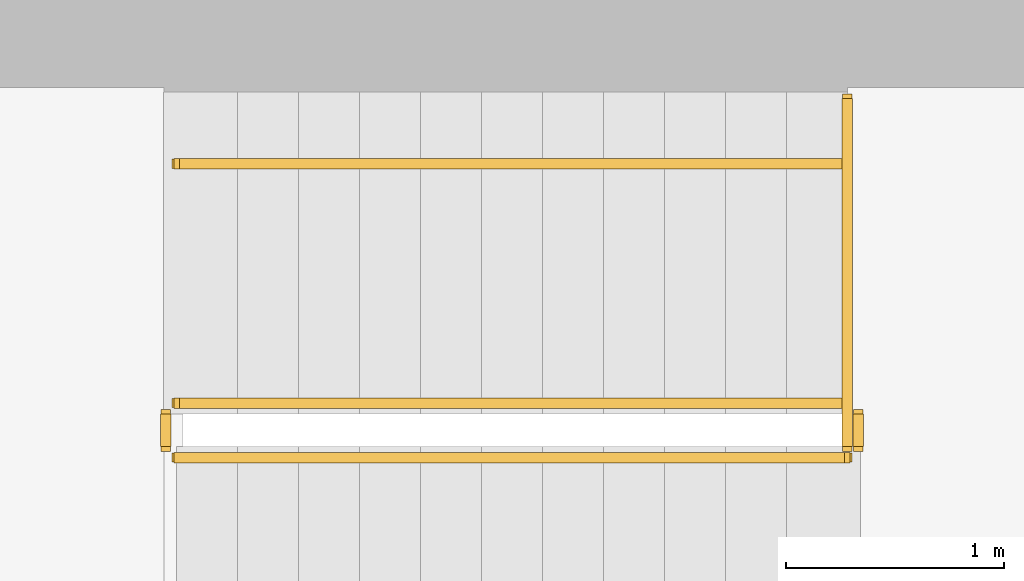
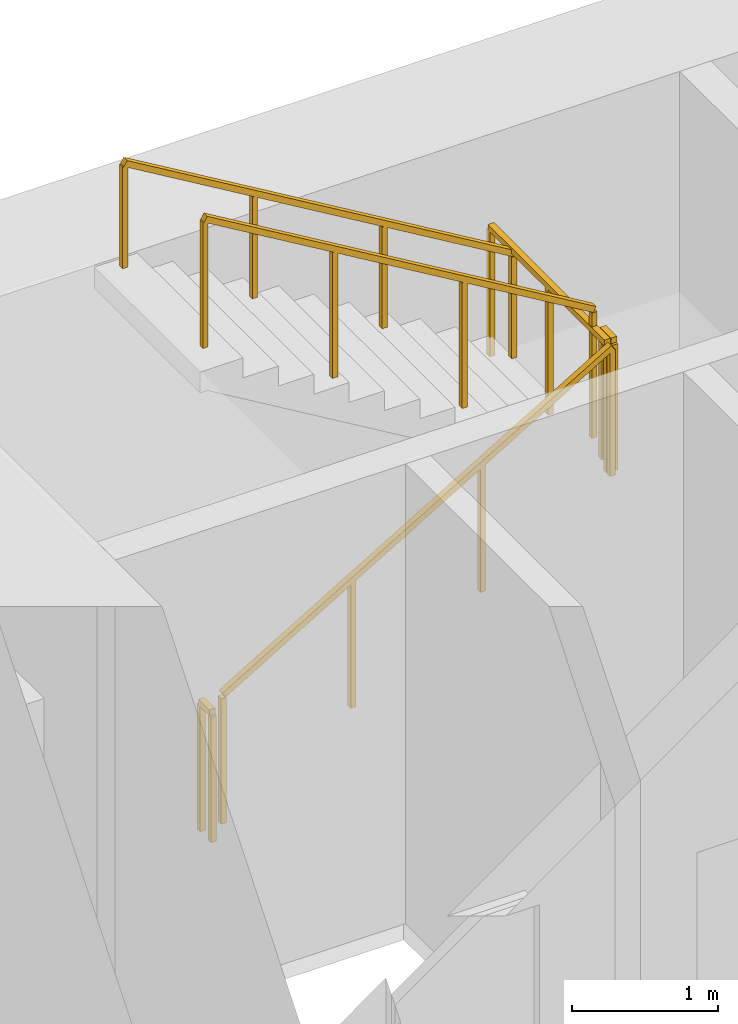
# One storey, part 15 of 16: 6 railings.
"""IFC4 building model written with IfcOpenShell, lengths in metres."""

from ifc_helpers import new_model, si_unit, direction, frame, origin, origin_2d, place, context, subcontext, project, spatial, rectangle, extrude, material, type_object, element, save


model = new_model("IFC4")

# Units and contexts
model_context = context("Model", 3, precision=1e-05, world=origin(), true_north=direction((0.0, 1.0)))
body_context = subcontext(model_context, "Body", "Model", "MODEL_VIEW")
ifc_project = project(units=[si_unit("LENGTHUNIT", "METRE"), si_unit("AREAUNIT", "SQUARE_METRE"), si_unit("VOLUMEUNIT", "CUBIC_METRE"), si_unit("PLANEANGLEUNIT", "RADIAN"), si_unit("MASSUNIT", "GRAM", prefix="KILO")], contexts=[model_context])

# Site, building, storey
site_placement = place(None, origin())
site = spatial("IfcSite", under=ifc_project, at=site_placement, CompositionType="ELEMENT")
building_placement = place(site_placement, origin())
building = spatial("IfcBuilding", under=site, at=building_placement, Name="Sennacour Bend Tower", CompositionType="ELEMENT")
storey_placement = place(building_placement, frame((0.0, 0.0, 179.0)))
storey = spatial("IfcBuildingStorey", under=building, at=storey_placement, Name="L41", CompositionType="ELEMENT", Elevation=179.0)

# Railings
ifc_material = material(Name="Stainless steel", Category="steel")
railing_type_1 = type_object("IfcRailingType", Name="RL-GUARD-1100", PredefinedType="GUARDRAIL", material=ifc_material)
railing_1_placement = place(storey_placement, frame((56.699951171875, 19.85009765625, 0.166748046875)))
element("IfcRailing", 1, at=railing_1_placement, inside=storey, type_object=railing_type_1, Name="L41 SA2 stair guard 1", PredefinedType="GUARDRAIL", context=body_context, shape_type="SweptSolid", body=[
    extrude(rectangle(XDim=0.048095703125, YDim=0.048095703125, at=origin_2d()), frame((0.0, 0.0, 1.076171875), z_axis=(0.859308565015, 0.0, 0.511457515432), x_axis=(0.0, 1.0, 0.0)), (0.0, 0.0, 1.0), 3.58447265625),
    extrude(rectangle(XDim=0.0419921875, YDim=0.0419921875, at=origin_2d()), origin(), (0.0, 0.0, 1.0), 1.052001953125),
    extrude(rectangle(XDim=0.0419921875, YDim=0.0419921875, at=origin_2d()), frame((1.026611328125, 0.0, 0.611083984375)), (0.0, 0.0, 1.0), 1.052001953125),
    extrude(rectangle(XDim=0.0419921875, YDim=0.0419921875, at=origin_2d()), frame((2.053466796875, 0.0, 1.22216796875)), (0.0, 0.0, 1.0), 1.052001953125),
    extrude(rectangle(XDim=0.0419921875, YDim=0.0419921875, at=origin_2d()), frame((3.080078125, 0.0, 1.833251953125)), (0.0, 0.0, 1.0), 1.052001953125),
])
railing_2_placement = place(storey_placement, frame((59.830078125, 19.89990234375, 2.0)))
element("IfcRailing", 2, at=railing_2_placement, inside=storey, type_object=railing_type_1, Name="L41 SA2 stair guard 2", PredefinedType="GUARDRAIL", context=body_context, shape_type="SweptSolid", body=[
    extrude(rectangle(XDim=0.048095703125, YDim=0.048095703125, at=origin_2d()), frame((0.0, 0.0, 1.076171875), z_axis=(0.0, 1.0, 0.0), x_axis=(-1.0, 0.0, 0.0)), (0.0, 0.0, 1.0), 0.150146484375),
    extrude(rectangle(XDim=0.0419921875, YDim=0.0419921875, at=origin_2d()), origin(), (0.0, 0.0, 1.0), 1.052001953125),
    extrude(rectangle(XDim=0.0419921875, YDim=0.0419921875, at=origin_2d()), frame((0.0, 0.150146484375, 0.0)), (0.0, 0.0, 1.0), 1.052001953125),
])
railing_3_placement = place(storey_placement, frame((59.780029296875, 20.10009765625, 2.166748046875)))
element("IfcRailing", 3, at=railing_3_placement, inside=storey, type_object=railing_type_1, Name="L41 SA2 stair guard 4", PredefinedType="GUARDRAIL", context=body_context, shape_type="SweptSolid", body=[
    extrude(rectangle(XDim=0.048095703125, YDim=0.048095703125, at=origin_2d()), frame((0.0, 0.0, 1.076171875), z_axis=(-0.859308565015, 0.0, 0.511457515432), x_axis=(0.0, -1.0, 0.0)), (0.0, 0.0, 1.0), 3.58447265625),
    extrude(rectangle(XDim=0.0419921875, YDim=0.0419921875, at=origin_2d()), origin(), (0.0, 0.0, 1.0), 1.052001953125),
    extrude(rectangle(XDim=0.0419921875, YDim=0.0419921875, at=origin_2d()), frame((-1.026611328125, 0.0, 0.611083984375)), (0.0, 0.0, 1.0), 1.052001953125),
    extrude(rectangle(XDim=0.0419921875, YDim=0.0419921875, at=origin_2d()), frame((-2.053466796875, 0.0, 1.22216796875)), (0.0, 0.0, 1.0), 1.052001953125),
    extrude(rectangle(XDim=0.0419921875, YDim=0.0419921875, at=origin_2d()), frame((-3.080078125, 0.0, 1.833251953125)), (0.0, 0.0, 1.0), 1.052001953125),
])
railing_4_placement = place(storey_placement, frame((56.64990234375, 19.89990234375, 0.0)))
element("IfcRailing", 4, at=railing_4_placement, inside=storey, type_object=railing_type_1, Name="L41 SA2 stair guard 5", PredefinedType="GUARDRAIL", context=body_context, shape_type="SweptSolid", body=[
    extrude(rectangle(XDim=0.048095703125, YDim=0.048095703125, at=origin_2d()), frame((0.0, 0.0, 1.076171875), z_axis=(0.0, 1.0, 0.0), x_axis=(-1.0, 0.0, 0.0)), (0.0, 0.0, 1.0), 0.150146484375),
    extrude(rectangle(XDim=0.0419921875, YDim=0.0419921875, at=origin_2d()), origin(), (0.0, 0.0, 1.0), 1.052001953125),
    extrude(rectangle(XDim=0.0419921875, YDim=0.0419921875, at=origin_2d()), frame((0.0, 0.150146484375, 0.0)), (0.0, 0.0, 1.0), 1.052001953125),
])
railing_5_placement = place(storey_placement, frame((59.780029296875, 19.89990234375, 2.0)))
element("IfcRailing", 5, at=railing_5_placement, inside=storey, type_object=railing_type_1, Name="L41 SA2 landing edge guard 56", PredefinedType="GUARDRAIL", context=body_context, shape_type="SweptSolid", body=[
    extrude(rectangle(XDim=0.048095703125, YDim=0.048095703125, at=origin_2d()), frame((0.0, 0.0, 1.076171875), z_axis=(0.0, 1.0, 0.0), x_axis=(-1.0, 0.0, 0.0)), (0.0, 0.0, 1.0), 1.60009765625),
    extrude(rectangle(XDim=0.0419921875, YDim=0.0419921875, at=origin_2d()), origin(), (0.0, 0.0, 1.0), 1.052001953125),
    extrude(rectangle(XDim=0.0419921875, YDim=0.0419921875, at=origin_2d()), frame((0.0, 0.800048828125, 0.0)), (0.0, 0.0, 1.0), 1.052001953125),
    extrude(rectangle(XDim=0.0419921875, YDim=0.0419921875, at=origin_2d()), frame((0.0, 1.60009765625, 0.0)), (0.0, 0.0, 1.0), 1.052001953125),
])
railing_type_2 = type_object("IfcRailingType", Name="RL-HANDRAIL-900", PredefinedType="HANDRAIL", material=ifc_material)
railing_6_placement = place(storey_placement, frame((59.780029296875, 21.199951171875, 2.166748046875)))
element("IfcRailing", 6, at=railing_6_placement, inside=storey, type_object=railing_type_2, Name="L41 SA2 stair handrail 2", PredefinedType="HANDRAIL", context=body_context, shape_type="SweptSolid", body=[
    extrude(rectangle(XDim=0.048095703125, YDim=0.048095703125, at=origin_2d()), frame((0.0, 0.0, 0.8759765625), z_axis=(-0.859308565015, 0.0, 0.511457515432), x_axis=(0.0, -1.0, 0.0)), (0.0, 0.0, 1.0), 3.58447265625),
    extrude(rectangle(XDim=0.0419921875, YDim=0.0419921875, at=origin_2d()), origin(), (0.0, 0.0, 1.0), 0.851806640625),
    extrude(rectangle(XDim=0.0419921875, YDim=0.0419921875, at=origin_2d()), frame((-1.026611328125, 0.0, 0.611083984375)), (0.0, 0.0, 1.0), 0.851806640625),
    extrude(rectangle(XDim=0.0419921875, YDim=0.0419921875, at=origin_2d()), frame((-2.053466796875, 0.0, 1.22216796875)), (0.0, 0.0, 1.0), 0.851806640625),
    extrude(rectangle(XDim=0.0419921875, YDim=0.0419921875, at=origin_2d()), frame((-3.080078125, 0.0, 1.833251953125)), (0.0, 0.0, 1.0), 0.851806640625),
])

save(model, "model.ifc")
